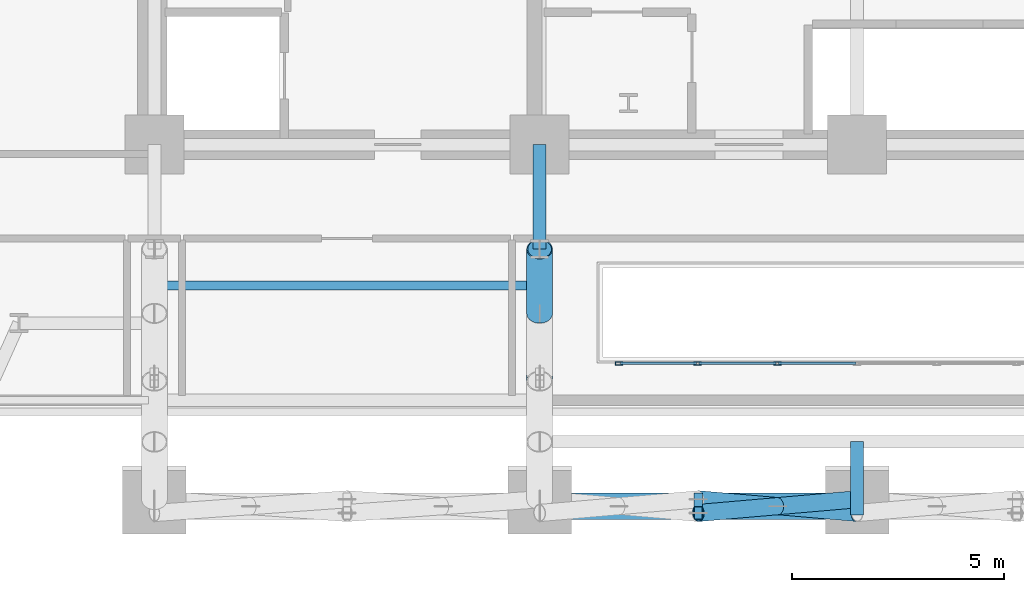
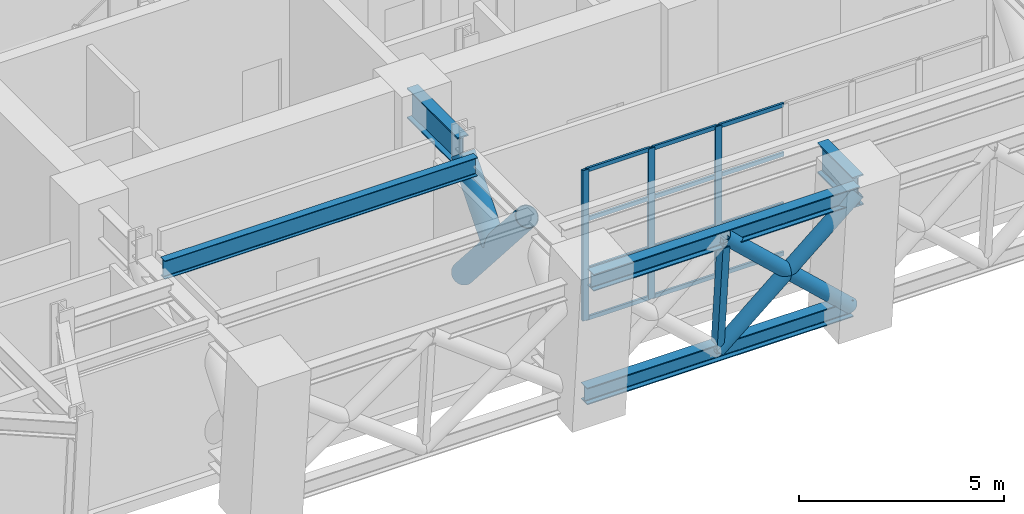
# One storey, part 2 of 12: 23 members, 3 beams, 1 element without a shape of its own.
"""IFC4 building model written with IfcOpenShell, lengths in metres."""

import ifcopenshell
import ifcopenshell.guid

model = None  # the IFC model being written
_history = None  # IfcOwnerHistory: only IFC2X3 demands one
_inside = {}  # id of a spatial element -> (the spatial element, [elements in it])
_under = {}  # id of a project, library or spatial element -> (it, [spatial elements below it])
_declared = {}  # id of a project -> (the project, [libraries it declares])
_typed = {}  # id of a type object -> (the type object, [elements of that type])
_made_of = {}  # id of a material, layer set ... -> (it, [elements and type objects made of it])


def new_model(schema):
    """Start an empty IFC model of exactly this schema.

    Asked for "IFC4X3", IfcOpenShell would pick the latest addendum, in which some entities
    have other attributes; the version numbers below select the first issue.
    IFC2X3 requires an IfcOwnerHistory on every rooted entity: one is made here for all.
    """
    global model, _history
    if schema == "IFC4X3":
        model = ifcopenshell.file(schema_version=(4, 3, 0, 0))
    else:
        model = ifcopenshell.file(schema=schema)
    _inside.clear()
    _under.clear()
    _declared.clear()
    _typed.clear()
    _made_of.clear()
    _history = None
    if model.schema == "IFC2X3":
        org = make("IfcOrganization", Name="unknown")
        user = make(
            "IfcPersonAndOrganization",
            ThePerson=make("IfcPerson", FamilyName="unknown"),
            TheOrganization=org,
        )
        app = make(
            "IfcApplication",
            ApplicationDeveloper=org,
            Version="unknown",
            ApplicationFullName="unknown",
            ApplicationIdentifier="unknown",
        )
        _history = make(
            "IfcOwnerHistory",
            OwningUser=user,
            OwningApplication=app,
            ChangeAction="ADDED",
            CreationDate=0,
        )
    return model


def make(cls, **values):
    """One entity of the class cls with the attributes given. An attribute that is None is left unset."""
    return model.create_entity(
        cls, **{name: value for name, value in values.items() if value is not None}
    )


def rooted(cls, **values):
    """An entity with a GlobalId (a new one), such as an element, a storey or a relation."""
    return make(cls, GlobalId=ifcopenshell.guid.new(), OwnerHistory=_history, **values)


def si_unit(unit_type, name, prefix=None):
    """IfcSIUnit, for example si_unit("LENGTHUNIT", "METRE", prefix="MILLI")."""
    return make("IfcSIUnit", UnitType=unit_type, Prefix=prefix, Name=name)


def assignment(units):
    """IfcUnitAssignment: the units of a project."""
    return None if units is None else make("IfcUnitAssignment", Units=units)


def point(xyz):
    """IfcCartesianPoint."""
    return None if xyz is None else make("IfcCartesianPoint", Coordinates=xyz)


def direction(xyz):
    """IfcDirection."""
    return None if xyz is None else make("IfcDirection", DirectionRatios=xyz)


def frame(location, z_axis=None, x_axis=None):
    """IfcAxis2Placement3D, a coordinate frame: its origin and axes. An axis left out is left unset."""
    return make(
        "IfcAxis2Placement3D",
        Location=point(location),
        Axis=direction(z_axis),
        RefDirection=direction(x_axis),
    )


def frame_2d(location, x_axis=None):
    """IfcAxis2Placement2D, a coordinate frame in the plane: its origin and x axis."""
    return make(
        "IfcAxis2Placement2D", Location=point(location), RefDirection=direction(x_axis)
    )


def origin():
    """The frame at (0, 0, 0) with its axes left unset."""
    return frame((0.0, 0.0, 0.0))


def origin_2d():
    """The frame at (0, 0) in the plane with its x axis left unset."""
    return frame_2d((0.0, 0.0))


def place(relative_to, where):
    """IfcLocalPlacement: puts the frame where relative to a parent placement (None: the world)."""
    return make(
        "IfcLocalPlacement", PlacementRelTo=relative_to, RelativePlacement=where
    )


def context(
    kind, dimensions, precision=None, world=None, true_north=None, identifier=None
):
    """IfcGeometricRepresentationContext, for example the 3D "Model" context."""
    return make(
        "IfcGeometricRepresentationContext",
        ContextIdentifier=identifier,
        ContextType=kind,
        CoordinateSpaceDimension=dimensions,
        Precision=precision,
        WorldCoordinateSystem=world,
        TrueNorth=true_north,
    )


def subcontext(parent, identifier, kind, view, scale=None):
    """IfcGeometricRepresentationSubContext, for example "Body" below "Model"."""
    return make(
        "IfcGeometricRepresentationSubContext",
        ContextIdentifier=identifier,
        ContextType=kind,
        ParentContext=parent,
        TargetScale=scale,
        TargetView=view,
    )


def project(units=None, contexts=None):
    """IfcProject with its units and contexts."""
    return rooted(
        "IfcProject",
        Name="project",
        RepresentationContexts=contexts,
        UnitsInContext=assignment(units),
    )


def spatial(cls, under=None, at=None, **own):
    """A site, building, storey or space (cls), placed at a placement, below another one or the project."""
    s = rooted(cls, ObjectPlacement=at, **own)
    if under is not None:
        _under.setdefault(under.id(), (under, []))[1].append(s)
    return s


def profile(cls, at=None, kind="AREA", **sizes):
    """A parametric profile (cls). Its sizes go by their IFC names, for example OverallWidth=200.0."""
    return make(cls, ProfileType=kind, Position=at, **sizes)


def hollow_rectangle(**sizes):
    """IfcRectangleHollowProfileDef."""
    return profile("IfcRectangleHollowProfileDef", **sizes)


def hollow_circle(**sizes):
    """IfcCircleHollowProfileDef."""
    return profile("IfcCircleHollowProfileDef", **sizes)


def i_section(**sizes):
    """IfcIShapeProfileDef."""
    return profile("IfcIShapeProfileDef", **sizes)


def extrude(swept, where, along, depth):
    """IfcExtrudedAreaSolid: the profile swept, set in the frame where, extruded along a direction by depth."""
    return make(
        "IfcExtrudedAreaSolid",
        SweptArea=swept,
        Position=where,
        ExtrudedDirection=direction(along),
        Depth=depth,
    )


def shape(context_of_items, identifier, shape_type, items):
    """IfcShapeRepresentation: the items that make up one representation, for example the "Body"."""
    return make(
        "IfcShapeRepresentation",
        ContextOfItems=context_of_items,
        RepresentationIdentifier=identifier,
        RepresentationType=shape_type,
        Items=items,
    )


def material(Name=None, Category=None):
    """IfcMaterial."""
    return make("IfcMaterial", Name=Name, Category=Category)


def layer(
    of_material, thickness, ventilated=None, Name=None, Category=None, Priority=None
):
    """IfcMaterialLayer: one layer of a wall or slab, of a material (None: an air gap)."""
    return make(
        "IfcMaterialLayer",
        Material=of_material,
        LayerThickness=thickness,
        IsVentilated=ventilated,
        Name=Name,
        Category=Category,
        Priority=Priority,
    )


def layer_set(layers, Name=None):
    """IfcMaterialLayerSet."""
    return make("IfcMaterialLayerSet", MaterialLayers=layers, LayerSetName=Name)


def material_profile(
    of_material, cross_section, Name=None, Category=None, Priority=None
):
    """IfcMaterialProfile: a cross section and its material."""
    return make(
        "IfcMaterialProfile",
        Name=Name,
        Material=of_material,
        Profile=cross_section,
        Priority=Priority,
        Category=Category,
    )


def profile_set(profiles, Name=None, composite=None):
    """IfcMaterialProfileSet."""
    return make(
        "IfcMaterialProfileSet",
        Name=Name,
        MaterialProfiles=profiles,
        CompositeProfile=composite,
    )


def made_of(thing, what):
    """Note that an element or type object is made of a material, layer set ...; save() writes the relation."""
    if what is not None:
        _made_of.setdefault(what.id(), (what, []))[1].append(thing)
    return thing


def type_object(cls, material=None, **own):
    """A type object (cls), such as IfcWallType, which elements share."""
    return made_of(rooted(cls, **own), material)


def element(
    cls,
    number,
    at=None,
    inside=None,
    cuts=None,
    type_object=None,
    material=None,
    context=None,
    identifier="Body",
    shape_type=None,
    held_by="IfcProductDefinitionShape",
    body=None,
    shapes=None,
    **own,
):
    """One element of the class cls, such as IfcWall. Its Tag is "e" and its number.

    at: its placement. inside: the storey or other place that contains it. cuts: it is an
    opening in that element (IfcRelVoidsElement). A single representation is given by context,
    identifier, shape_type and body (its items); several are given by shapes. held_by: the class
    of the entity that holds the representations. save() writes the other relations.
    """
    e = rooted(cls, Tag="e%d" % number, ObjectPlacement=at, **own)
    if body is not None:
        shapes = [shape(context, identifier, shape_type, body)]
    if shapes is not None:
        e.Representation = make(held_by, Representations=shapes)
    if inside is not None:
        _inside.setdefault(inside.id(), (inside, []))[1].append(e)
    if cuts is not None:
        rooted(
            "IfcRelVoidsElement", RelatingBuildingElement=cuts, RelatedOpeningElement=e
        )
    if type_object is not None:
        _typed.setdefault(type_object.id(), (type_object, []))[1].append(e)
    return made_of(e, material)


def aggregate(whole, parts):
    """IfcRelAggregates: a whole, such as a stair, and the parts it consists of."""
    return rooted("IfcRelAggregates", RelatingObject=whole, RelatedObjects=parts)


def save(model, path):
    """Write the relations noted so far, then the file.

    IfcRelAggregates (storeys below a building ...), IfcRelContainedInSpatialStructure (elements
    in a storey), IfcRelDefinesByType, IfcRelAssociatesMaterial and IfcRelDeclares: one each for
    every whole, place, type object, material and project.
    """
    for whole, parts in _under.values():
        aggregate(whole, parts)
    for where, things in _inside.values():
        rooted(
            "IfcRelContainedInSpatialStructure",
            RelatedElements=things,
            RelatingStructure=where,
        )
    for kind, things in _typed.values():
        rooted("IfcRelDefinesByType", RelatedObjects=things, RelatingType=kind)
    for what, things in _made_of.values():
        rooted("IfcRelAssociatesMaterial", RelatedObjects=things, RelatingMaterial=what)
    for by, libraries in _declared.values():
        rooted("IfcRelDeclares", RelatingContext=by, RelatedDefinitions=libraries)
    model.write(path)


model = new_model("IFC4")

# Units and contexts
model_context = context("Model", 3, precision=1e-05, world=origin(), true_north=direction((0.0, 1.0)))
body_context = subcontext(model_context, "Body", "Model", "MODEL_VIEW")
ifc_project = project(units=[si_unit("LENGTHUNIT", "METRE"), si_unit("AREAUNIT", "SQUARE_METRE"), si_unit("VOLUMEUNIT", "CUBIC_METRE"), si_unit("PLANEANGLEUNIT", "RADIAN"), si_unit("MASSUNIT", "GRAM", prefix="KILO")], contexts=[model_context])

# Site, building, storey
site_placement = place(None, origin())
site = spatial("IfcSite", under=ifc_project, at=site_placement, CompositionType="ELEMENT")
building_placement = place(site_placement, origin())
building = spatial("IfcBuilding", under=site, at=building_placement, Name="Zarnavel Station Tower", CompositionType="ELEMENT")
storey_placement = place(building_placement, frame((0.0, 0.0, 74.5)))
storey = spatial("IfcBuildingStorey", under=building, at=storey_placement, Name="L20", CompositionType="ELEMENT", Elevation=74.5)

# Members
ifc_material_1 = material(Name="Steel S460M", Category="steel")
ifc_material_profile_1 = material_profile(ifc_material_1, i_section(OverallWidth=0.300048828125, OverallDepth=0.5, WebThickness=0.014404296875, FlangeThickness=0.028076171875, FilletRadius=0.027099609375, at=origin_2d()), Name="HEB500")
ifc_profile_set_1 = profile_set([ifc_material_profile_1], Name="Steel S460M")
member_type_1 = type_object("IfcMemberType", Name="BT_CHORD_HEB500", PredefinedType="CHORD", material=ifc_profile_set_1)
for number, where, z_axis, x_axis, name in (
    (1, (21.300048828125, 19.4404296875, 0.39990234375), (1.0, 0.0, 0.0), (0.0, 1.0, 0.0), "L20 Perimeter Belt Truss Bottom Chord 2"),
    (2, (21.300048828125, 19.1162109375, 3.97998046875), (1.0, 0.0, 0.0), (0.0, 1.0, 0.0), "L20 Perimeter Belt Truss Top Chord 2"),
):
    element("IfcMember", number, at=place(storey_placement, frame(where, z_axis=z_axis, x_axis=x_axis)), inside=storey, type_object=member_type_1, Name=name, PredefinedType="CHORD", context=body_context, shape_type="SweptSolid", body=[
        extrude(i_section(OverallWidth=0.300048828125, OverallDepth=0.5, WebThickness=0.014404296875, FlangeThickness=0.028076171875, FilletRadius=0.027099609375, at=origin_2d()), origin(), (0.0, 0.0, 1.0), 7.5),
    ])
ifc_material_2 = material(Name="Steel S460M", Category="steel")
ifc_material_profile_2 = material_profile(ifc_material_2, hollow_circle(Radius=0.203125, WallThickness=0.01611328125, at=origin_2d()), Name="CHS406.4x16")
ifc_profile_set_2 = profile_set([ifc_material_profile_2], Name="Steel S460M")
member_type_2 = type_object("IfcMemberType", Name="BT_DIAG_CHS406", PredefinedType="BRACE", material=ifc_profile_set_2)
member_1_placement = place(storey_placement, frame((25.050048828125, 19.4404296875, 0.39990234375), z_axis=(0.721894044506, -0.062413755931, 0.689183220615), x_axis=(0.086136993838, 0.996283302225, 0.0)))
element("IfcMember", 3, at=member_1_placement, inside=storey, type_object=member_type_2, Name="L20 Belt Truss Continuous Diagonal A2 2", PredefinedType="BRACE", context=body_context, shape_type="SweptSolid", body=[
    extrude(hollow_circle(Radius=0.203125, WallThickness=0.01611328125, at=origin_2d()), origin(), (0.0, 0.0, 1.0), 5.194580078125),
])
for number, where, z_axis, x_axis, name in (
    (4, (28.800048828125, 19.4404296875, 0.39990234375), (-0.721894044506, -0.062413755931, 0.689183220615), (0.086136993838, -0.996283302225, 0.0), "L20 Belt Truss Split Diagonal B2 Lower 2"),
    (5, (26.925048828125, 19.2783203125, 2.18994140625), (-0.721894044506, -0.062413755931, 0.689183220615), (0.086136993838, -0.996283302225, 0.0), "L20 Belt Truss Split Diagonal B2 Upper 2"),
):
    element("IfcMember", number, at=place(storey_placement, frame(where, z_axis=z_axis, x_axis=x_axis)), inside=storey, type_object=member_type_2, Name=name, PredefinedType="BRACE", context=body_context, shape_type="SweptSolid", body=[
        extrude(hollow_circle(Radius=0.203125, WallThickness=0.01611328125, at=origin_2d()), origin(), (0.0, 0.0, 1.0), 2.597412109375),
    ])
ifc_material_3 = material(Name="Steel S460M", Category="steel")
ifc_material_profile_3 = material_profile(ifc_material_3, hollow_rectangle(XDim=0.199951171875, YDim=0.300048828125, WallThickness=0.012451171875, at=origin_2d()), Name="RHS300x200x12.5")
ifc_profile_set_3 = profile_set([ifc_material_profile_3], Name="Steel S460M")
member_type_3 = type_object("IfcMemberType", Name="BT_POST_RHS300", PredefinedType="POST", material=ifc_profile_set_3)
member_2_placement = place(storey_placement, frame((25.050048828125, 19.4404296875, 0.39990234375), z_axis=(0.0, -0.090192819133, 0.995924322113), x_axis=(1.0, 0.0, 0.0)))
element("IfcMember", 6, at=member_2_placement, inside=storey, type_object=member_type_3, Name="L20 Belt Truss Mid-Bay Post 2", PredefinedType="POST", context=body_context, shape_type="SweptSolid", body=[
    extrude(hollow_rectangle(XDim=0.199951171875, YDim=0.300048828125, WallThickness=0.012451171875, at=origin_2d()), origin(), (0.0, 0.0, 1.0), 3.5947265625),
])

# Curtain wall, members
ifc_material_4 = material(Name="Aluminium Dark Anodised and Solar-Control Glass", Category="aluminium")
ifc_layer = layer(ifc_material_4, 0.179931640625)
ifc_layer_set = layer_set([ifc_layer], Name="CWS3")
curtain_wall_type = type_object("IfcCurtainWallType", Name="CWS3", PredefinedType="NOTDEFINED", material=ifc_layer_set)
curtain_wall_placement = place(storey_placement, origin())
curtain_wall = element("IfcCurtainWall", 7, at=curtain_wall_placement, inside=storey, type_object=curtain_wall_type, Name="L20 Curtain Wall CWS3-L20-AS", PredefinedType="NOTDEFINED")
ifc_material_5 = material(Name="Steel S355J2 (Black Fluoropolymer Coated)", Category="steel")
ifc_material_profile_4 = material_profile(ifc_material_5, hollow_rectangle(XDim=0.080078125, YDim=0.179931640625, WallThickness=0.00634765625, at=origin_2d()), Name="RHS180x80x6.3")
ifc_profile_set_4 = profile_set([ifc_material_profile_4], Name="Steel S355J2 (Black Fluoropolymer Coated)")
member_type_4 = type_object("IfcMemberType", Name="CWS3_MUL", PredefinedType="MULLION", material=ifc_profile_set_4)
member_3_placement = place(storey_placement, frame((23.179931640625, 22.64990234375, 0.0), z_axis=(0.0, 0.0, 1.0), x_axis=(0.0, 1.0, 0.0)))
member_3 = element("IfcMember", 8, at=member_3_placement, type_object=member_type_4, Name="CW3 mullion 1", PredefinedType="MULLION", context=body_context, shape_type="SweptSolid", body=[
    extrude(hollow_rectangle(XDim=0.080078125, YDim=0.179931640625, WallThickness=0.00634765625, at=origin_2d()), origin(), (0.0, 0.0, 1.0), 4.47998046875),
])
member_4_placement = place(storey_placement, frame((25.033447265625, 22.64990234375, 0.0), z_axis=(0.0, 0.0, 1.0), x_axis=(0.0, 1.0, 0.0)))
member_4 = element("IfcMember", 9, at=member_4_placement, type_object=member_type_4, Name="CW3 mullion 2", PredefinedType="MULLION", context=body_context, shape_type="SweptSolid", body=[
    extrude(hollow_rectangle(XDim=0.080078125, YDim=0.179931640625, WallThickness=0.00634765625, at=origin_2d()), origin(), (0.0, 0.0, 1.0), 4.47998046875),
])
member_5_placement = place(storey_placement, frame((26.916748046875, 22.64990234375, 0.0), z_axis=(0.0, 0.0, 1.0), x_axis=(0.0, 1.0, 0.0)))
member_5 = element("IfcMember", 10, at=member_5_placement, type_object=member_type_4, Name="CW3 mullion 3", PredefinedType="MULLION", context=body_context, shape_type="SweptSolid", body=[
    extrude(hollow_rectangle(XDim=0.080078125, YDim=0.179931640625, WallThickness=0.00634765625, at=origin_2d()), origin(), (0.0, 0.0, 1.0), 4.47998046875),
])
ifc_material_6 = material(Name="Steel S355J2 (Black Fluoropolymer Coated)", Category="steel")
ifc_material_profile_5 = material_profile(ifc_material_6, hollow_rectangle(XDim=0.06005859375, YDim=0.1201171875, WallThickness=0.0048828125, at=origin_2d()), Name="RHS120x60x5")
ifc_profile_set_5 = profile_set([ifc_material_profile_5], Name="Steel S355J2 (Black Fluoropolymer Coated)")
member_type_5 = type_object("IfcMemberType", Name="CWS3_TRN", PredefinedType="USERDEFINED", material=ifc_profile_set_5)
member_6_placement = place(storey_placement, frame((23.2099609375, 22.64990234375, 0.030029296875), z_axis=(1.0, 0.0, 0.0), x_axis=(0.0, 1.0, 0.0)))
member_6 = element("IfcMember", 11, at=member_6_placement, type_object=member_type_5, Name="CW3 transom 1.1", ObjectType="TRANSOM", PredefinedType="USERDEFINED", context=body_context, shape_type="SweptSolid", body=[
    extrude(hollow_rectangle(XDim=0.06005859375, YDim=0.1201171875, WallThickness=0.0048828125, at=origin_2d()), origin(), (0.0, 0.0, 1.0), 1.79345703125),
])
member_7_placement = place(storey_placement, frame((23.2099609375, 22.64990234375, 1.493408203125), z_axis=(1.0, 0.0, 0.0), x_axis=(0.0, 1.0, 0.0)))
member_7 = element("IfcMember", 12, at=member_7_placement, type_object=member_type_5, Name="CW3 transom 1.2", ObjectType="TRANSOM", PredefinedType="USERDEFINED", context=body_context, shape_type="SweptSolid", body=[
    extrude(hollow_rectangle(XDim=0.06005859375, YDim=0.1201171875, WallThickness=0.0048828125, at=origin_2d()), origin(), (0.0, 0.0, 1.0), 1.79345703125),
])
member_8_placement = place(storey_placement, frame((23.2099609375, 22.64990234375, 2.98681640625), z_axis=(1.0, 0.0, 0.0), x_axis=(0.0, 1.0, 0.0)))
member_8 = element("IfcMember", 13, at=member_8_placement, type_object=member_type_5, Name="CW3 transom 1.3", ObjectType="TRANSOM", PredefinedType="USERDEFINED", context=body_context, shape_type="SweptSolid", body=[
    extrude(hollow_rectangle(XDim=0.06005859375, YDim=0.1201171875, WallThickness=0.0048828125, at=origin_2d()), origin(), (0.0, 0.0, 1.0), 1.79345703125),
])
member_9_placement = place(storey_placement, frame((23.2099609375, 22.64990234375, 4.449951171875), z_axis=(1.0, 0.0, 0.0), x_axis=(0.0, 1.0, 0.0)))
member_9 = element("IfcMember", 14, at=member_9_placement, type_object=member_type_5, Name="CW3 transom 1.4", ObjectType="TRANSOM", PredefinedType="USERDEFINED", context=body_context, shape_type="SweptSolid", body=[
    extrude(hollow_rectangle(XDim=0.06005859375, YDim=0.1201171875, WallThickness=0.0048828125, at=origin_2d()), origin(), (0.0, 0.0, 1.0), 1.79345703125),
])
member_10_placement = place(storey_placement, frame((25.063232421875, 22.64990234375, 0.030029296875), z_axis=(1.0, 0.0, 0.0), x_axis=(0.0, 1.0, 0.0)))
member_10 = element("IfcMember", 15, at=member_10_placement, type_object=member_type_5, Name="CW3 transom 2.1", ObjectType="TRANSOM", PredefinedType="USERDEFINED", context=body_context, shape_type="SweptSolid", body=[
    extrude(hollow_rectangle(XDim=0.06005859375, YDim=0.1201171875, WallThickness=0.0048828125, at=origin_2d()), origin(), (0.0, 0.0, 1.0), 1.823486328125),
])
member_11_placement = place(storey_placement, frame((25.063232421875, 22.64990234375, 1.493408203125), z_axis=(1.0, 0.0, 0.0), x_axis=(0.0, 1.0, 0.0)))
member_11 = element("IfcMember", 16, at=member_11_placement, type_object=member_type_5, Name="CW3 transom 2.2", ObjectType="TRANSOM", PredefinedType="USERDEFINED", context=body_context, shape_type="SweptSolid", body=[
    extrude(hollow_rectangle(XDim=0.06005859375, YDim=0.1201171875, WallThickness=0.0048828125, at=origin_2d()), origin(), (0.0, 0.0, 1.0), 1.823486328125),
])
member_12_placement = place(storey_placement, frame((25.063232421875, 22.64990234375, 2.98681640625), z_axis=(1.0, 0.0, 0.0), x_axis=(0.0, 1.0, 0.0)))
member_12 = element("IfcMember", 17, at=member_12_placement, type_object=member_type_5, Name="CW3 transom 2.3", ObjectType="TRANSOM", PredefinedType="USERDEFINED", context=body_context, shape_type="SweptSolid", body=[
    extrude(hollow_rectangle(XDim=0.06005859375, YDim=0.1201171875, WallThickness=0.0048828125, at=origin_2d()), origin(), (0.0, 0.0, 1.0), 1.823486328125),
])
member_13_placement = place(storey_placement, frame((25.063232421875, 22.64990234375, 4.449951171875), z_axis=(1.0, 0.0, 0.0), x_axis=(0.0, 1.0, 0.0)))
member_13 = element("IfcMember", 18, at=member_13_placement, type_object=member_type_5, Name="CW3 transom 2.4", ObjectType="TRANSOM", PredefinedType="USERDEFINED", context=body_context, shape_type="SweptSolid", body=[
    extrude(hollow_rectangle(XDim=0.06005859375, YDim=0.1201171875, WallThickness=0.0048828125, at=origin_2d()), origin(), (0.0, 0.0, 1.0), 1.823486328125),
])
member_14_placement = place(storey_placement, frame((26.94677734375, 22.64990234375, 0.030029296875), z_axis=(1.0, 0.0, 0.0), x_axis=(0.0, 1.0, 0.0)))
member_14 = element("IfcMember", 19, at=member_14_placement, type_object=member_type_5, Name="CW3 transom 3.1", ObjectType="TRANSOM", PredefinedType="USERDEFINED", context=body_context, shape_type="SweptSolid", body=[
    extrude(hollow_rectangle(XDim=0.06005859375, YDim=0.1201171875, WallThickness=0.0048828125, at=origin_2d()), origin(), (0.0, 0.0, 1.0), 1.8232421875),
])
member_15_placement = place(storey_placement, frame((26.94677734375, 22.64990234375, 1.493408203125), z_axis=(1.0, 0.0, 0.0), x_axis=(0.0, 1.0, 0.0)))
member_15 = element("IfcMember", 20, at=member_15_placement, type_object=member_type_5, Name="CW3 transom 3.2", ObjectType="TRANSOM", PredefinedType="USERDEFINED", context=body_context, shape_type="SweptSolid", body=[
    extrude(hollow_rectangle(XDim=0.06005859375, YDim=0.1201171875, WallThickness=0.0048828125, at=origin_2d()), origin(), (0.0, 0.0, 1.0), 1.8232421875),
])
member_16_placement = place(storey_placement, frame((26.94677734375, 22.64990234375, 2.98681640625), z_axis=(1.0, 0.0, 0.0), x_axis=(0.0, 1.0, 0.0)))
member_16 = element("IfcMember", 21, at=member_16_placement, type_object=member_type_5, Name="CW3 transom 3.3", ObjectType="TRANSOM", PredefinedType="USERDEFINED", context=body_context, shape_type="SweptSolid", body=[
    extrude(hollow_rectangle(XDim=0.06005859375, YDim=0.1201171875, WallThickness=0.0048828125, at=origin_2d()), origin(), (0.0, 0.0, 1.0), 1.8232421875),
])
member_17_placement = place(storey_placement, frame((26.94677734375, 22.64990234375, 4.449951171875), z_axis=(1.0, 0.0, 0.0), x_axis=(0.0, 1.0, 0.0)))
member_17 = element("IfcMember", 22, at=member_17_placement, type_object=member_type_5, Name="CW3 transom 3.4", ObjectType="TRANSOM", PredefinedType="USERDEFINED", context=body_context, shape_type="SweptSolid", body=[
    extrude(hollow_rectangle(XDim=0.06005859375, YDim=0.1201171875, WallThickness=0.0048828125, at=origin_2d()), origin(), (0.0, 0.0, 1.0), 1.8232421875),
])
aggregate(curtain_wall, [member_3, member_4, member_5, member_6, member_7, member_8, member_9, member_10, member_11, member_12, member_13, member_14, member_15, member_16, member_17])

# Beam
ifc_material_7 = material(Name="Steel S355J2", Category="steel")
ifc_material_profile_6 = material_profile(ifc_material_7, i_section(OverallWidth=0.2099609375, OverallDepth=0.550048828125, WebThickness=0.010986328125, FlangeThickness=0.01708984375, FilletRadius=0.02392578125, at=origin_2d()), Name="IPE550")
ifc_profile_set_6 = profile_set([ifc_material_profile_6], Name="Steel S355J2")
beam_type_1 = type_object("IfcBeamType", Name="FB_IPE550", PredefinedType="BEAM", material=ifc_profile_set_6)
beam_1_placement = place(storey_placement, frame((12.344970703125, 24.490234375, 4.205078125), z_axis=(1.0, 0.0, 0.0), x_axis=(0.0, 1.0, 0.0)))
element("IfcBeam", 23, at=beam_1_placement, inside=storey, type_object=beam_type_1, Name="L20 West Bay Beam 2", PredefinedType="BEAM", context=body_context, shape_type="SweptSolid", body=[
    extrude(i_section(OverallWidth=0.2099609375, OverallDepth=0.550048828125, WebThickness=0.010986328125, FlangeThickness=0.01708984375, FilletRadius=0.02392578125, at=origin_2d()), origin(), (0.0, 0.0, 1.0), 8.81005859375),
])

# Members
ifc_material_8 = material(Name="Steel S460M", Category="steel")
ifc_material_profile_7 = material_profile(ifc_material_8, hollow_circle(Radius=0.304931640625, WallThickness=0.02490234375, at=origin_2d()), Name="CHS610x25")
ifc_profile_set_7 = profile_set([ifc_material_profile_7], Name="Steel S460M")
member_type_6 = type_object("IfcMemberType", Name="OT_DIAG_CHS610", PredefinedType="STRUT", material=ifc_profile_set_7)
member_18_placement = place(storey_placement, frame((21.300048828125, 25.35009765625, 0.39990234375), z_axis=(0.0, -0.656667528938, 0.75418018831), x_axis=(1.0, 0.0, 0.0)))
element("IfcMember", 24, at=member_18_placement, inside=storey, type_object=member_type_6, Name="L20 Outrigger Continuous Inner Diagonal 2", PredefinedType="STRUT", context=body_context, shape_type="SweptSolid", body=[
    extrude(hollow_circle(Radius=0.304931640625, WallThickness=0.02490234375, at=origin_2d()), origin(), (0.0, 0.0, 1.0), 4.7470703125),
])
member_19_placement = place(storey_placement, frame((21.300048828125, 23.83203125, 2.18994140625), z_axis=(0.0, 0.646790494346, 0.762667723471), x_axis=(-1.0, 0.0, 0.0)))
element("IfcMember", 25, at=member_19_placement, inside=storey, type_object=member_type_6, Name="L20 Outrigger Split Inner Strut Upper 2", PredefinedType="STRUT", context=body_context, shape_type="SweptSolid", body=[
    extrude(hollow_circle(Radius=0.304931640625, WallThickness=0.02490234375, at=origin_2d()), origin(), (0.0, 0.0, 1.0), 2.34716796875),
])

# Beams
ifc_material_9 = material(Name="Steel S460M", Category="steel")
ifc_material_profile_8 = material_profile(ifc_material_9, i_section(OverallWidth=0.302001953125, OverallDepth=0.909912109375, WebThickness=0.02099609375, FlangeThickness=0.0400390625, FilletRadius=0.030029296875, at=origin_2d()), Name="HEM900")
ifc_profile_set_8 = profile_set([ifc_material_profile_8], Name="Steel S460M")
beam_type_2 = type_object("IfcBeamType", Name="TG_HEM900", PredefinedType="USERDEFINED", material=ifc_profile_set_8)
beam_2_placement = place(storey_placement, frame((21.300048828125, 25.35009765625, 4.02490234375), z_axis=(0.0, 1.0, 0.0), x_axis=(-1.0, 0.0, 0.0)))
element("IfcBeam", 26, at=beam_2_placement, inside=storey, type_object=beam_type_2, Name="L20 Inner-Zone NS Girder 2", ObjectType="GIRDER", PredefinedType="USERDEFINED", context=body_context, shape_type="SweptSolid", body=[
    extrude(i_section(OverallWidth=0.302001953125, OverallDepth=0.909912109375, WebThickness=0.02099609375, FlangeThickness=0.0400390625, FilletRadius=0.030029296875, at=origin_2d()), origin(), (0.0, 0.0, 1.0), 2.469970703125),
])
beam_3_placement = place(storey_placement, frame((28.800048828125, 19.07080078125, 4.02490234375), z_axis=(0.0, 1.0, 0.0), x_axis=(-1.0, 0.0, 0.0)))
element("IfcBeam", 27, at=beam_3_placement, inside=storey, type_object=beam_type_2, Name="L20 Central Atrium-South Girder", ObjectType="GIRDER", PredefinedType="USERDEFINED", context=body_context, shape_type="SweptSolid", body=[
    extrude(i_section(OverallWidth=0.302001953125, OverallDepth=0.909912109375, WebThickness=0.02099609375, FlangeThickness=0.0400390625, FilletRadius=0.030029296875, at=origin_2d()), origin(), (0.0, 0.0, 1.0), 1.729248046875),
])

save(model, "model.ifc")
